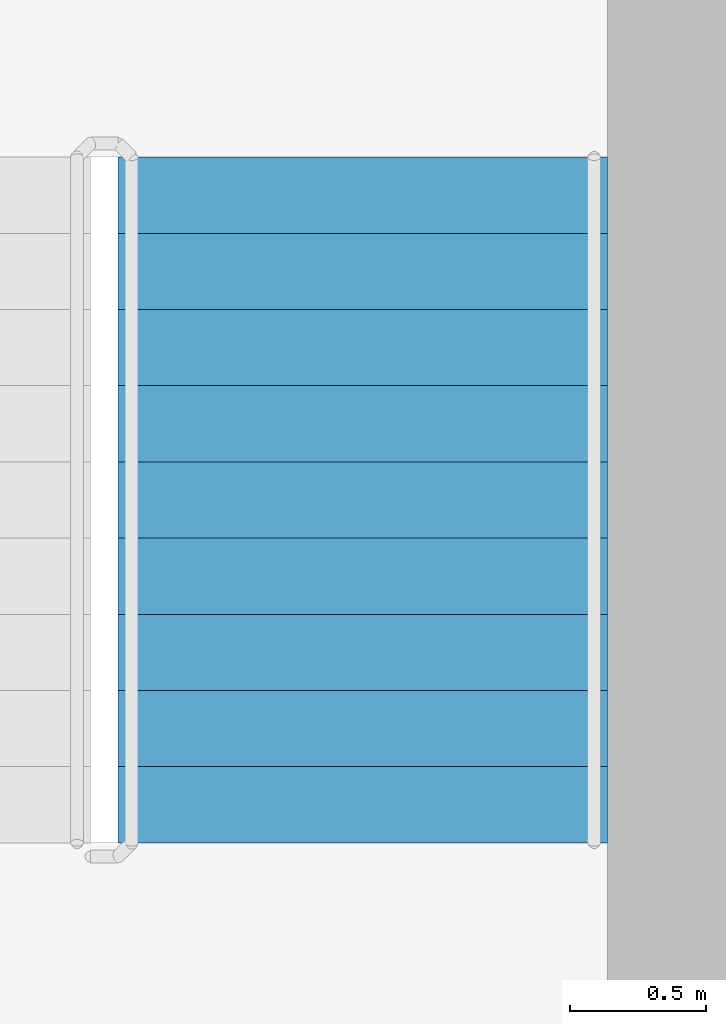
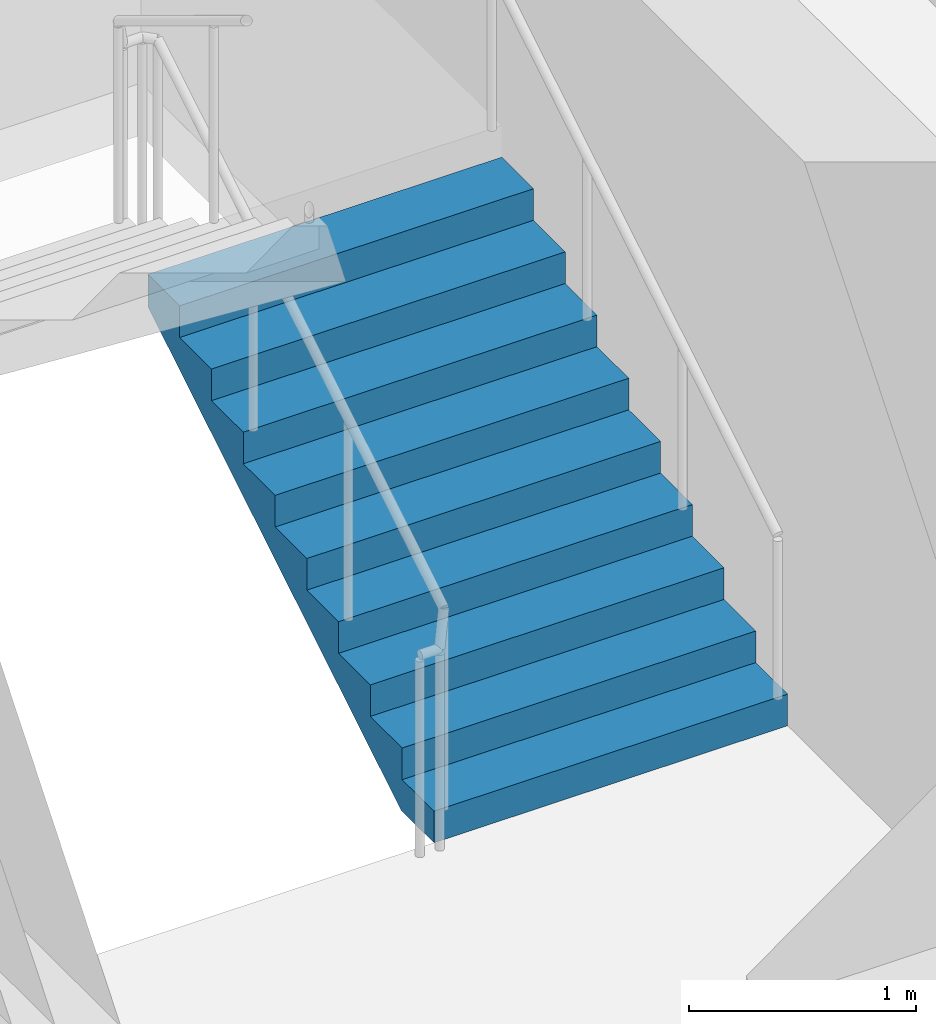
# One storey, part 11 of 18: 1 stair flight, 1 element without a shape of its own.
"""IFC4 building model written with IfcOpenShell, lengths in metres."""

from ifc_helpers import new_model, si_unit, direction, frame, origin, place, context, subcontext, project, spatial, triangles, source, transform, mapped, material, type_object, element, aggregate, save


model = new_model("IFC4")

# Units and contexts
model_context = context("Model", 3, precision=1e-05, world=origin(), true_north=direction((0.0, 1.0)))
body_context = subcontext(model_context, "Body", "Model", "MODEL_VIEW")
ifc_project = project(units=[si_unit("LENGTHUNIT", "METRE"), si_unit("AREAUNIT", "SQUARE_METRE"), si_unit("VOLUMEUNIT", "CUBIC_METRE"), si_unit("PLANEANGLEUNIT", "RADIAN"), si_unit("MASSUNIT", "GRAM", prefix="KILO")], contexts=[model_context])

# Site, building, storey
site_placement = place(None, origin())
site = spatial("IfcSite", under=ifc_project, at=site_placement, CompositionType="ELEMENT")
building_placement = place(site_placement, origin())
building = spatial("IfcBuilding", under=site, at=building_placement, Name="Kilnfold Tower and Market Hall", CompositionType="ELEMENT")
storey_placement = place(building_placement, frame((0.0, 0.0, 277.199951171875)))
storey = spatial("IfcBuildingStorey", under=building, at=storey_placement, Name="L68", CompositionType="ELEMENT", Elevation=277.199951171875)

# Stair, stair flight
ifc_material_1 = material(Name="Concrete C40/50", Category="concrete")
stair_type = type_object("IfcStairType", Name="CORE STAIR 1800", PredefinedType="HALF_TURN_STAIR", material=ifc_material_1)
stair_placement = place(storey_placement, origin())
stair = element("IfcStair", 1, at=stair_placement, inside=storey, type_object=stair_type, Name="L68 ST2", PredefinedType="HALF_TURN_STAIR")
ifc_material_2 = material(Name="Concrete C40/50", Category="concrete")
stair_flight_type = type_object("IfcStairFlightType", Name="CORE STAIR FLIGHT 1800", PredefinedType="STRAIGHT", material=ifc_material_2)
shared_shape = source(origin(), body_context, "Body", "Tessellation", [
    triangles([(0.0, 0.89990234375, 0.0), (0.0, 0.78759765625, 0.0), (0.0, 0.675048828125, 0.0), (0.0, 0.5625, 0.0), (0.0, 0.449951171875, 0.0), (0.0, 0.33740234375, 0.0), (0.0, 0.22509765625, 0.0), (0.0, 0.112548828125, 0.0), (0.0, 0.0, 0.0), (0.0, -0.112548828125, 0.0), (0.0, -0.22509765625, 0.0), (0.0, -0.33740234375, 0.0), (0.0, -0.449951171875, 0.0), (0.0, -0.5625, 0.0), (0.0, -0.675048828125, 0.0), (0.0, -0.78759765625, 0.0), (0.0, -0.89990234375, 0.0), (0.0, 0.89990234375, 0.169921875), (0.0, 0.78759765625, 0.169921875), (0.0, 0.675048828125, 0.169921875), (0.0, 0.5625, 0.169921875), (0.0, 0.449951171875, 0.169921875), (0.0, 0.33740234375, 0.169921875), (0.0, 0.22509765625, 0.169921875), (0.0, 0.112548828125, 0.169921875), (0.0, 0.0, 0.169921875), (0.0, -0.112548828125, 0.169921875), (0.0, -0.22509765625, 0.169921875), (0.0, -0.33740234375, 0.169921875), (0.0, -0.449951171875, 0.169921875), (0.0, -0.5625, 0.169921875), (0.0, -0.675048828125, 0.169921875), (0.0, -0.78759765625, 0.169921875), (0.0, -0.89990234375, 0.169921875), (0.280029296875, 0.89990234375, 0.169921875), (0.280029296875, 0.78759765625, 0.169921875), (0.280029296875, 0.675048828125, 0.169921875), (0.280029296875, 0.5625, 0.169921875), (0.280029296875, 0.449951171875, 0.169921875), (0.280029296875, 0.33740234375, 0.169921875), (0.280029296875, 0.22509765625, 0.169921875), (0.280029296875, 0.112548828125, 0.169921875), (0.280029296875, 0.0, 0.169921875), (0.280029296875, -0.112548828125, 0.169921875), (0.280029296875, -0.22509765625, 0.169921875), (0.280029296875, -0.33740234375, 0.169921875), (0.280029296875, -0.449951171875, 0.169921875), (0.280029296875, -0.5625, 0.169921875), (0.280029296875, -0.675048828125, 0.169921875), (0.280029296875, -0.78759765625, 0.169921875), (0.280029296875, -0.89990234375, 0.169921875), (0.280029296875, 0.89990234375, 0.340087890625), (0.280029296875, 0.78759765625, 0.340087890625), (0.280029296875, 0.675048828125, 0.340087890625), (0.280029296875, 0.5625, 0.340087890625), (0.280029296875, 0.449951171875, 0.340087890625), (0.280029296875, 0.33740234375, 0.340087890625), (0.280029296875, 0.22509765625, 0.340087890625), (0.280029296875, 0.112548828125, 0.340087890625), (0.280029296875, 0.0, 0.340087890625), (0.280029296875, -0.112548828125, 0.340087890625), (0.280029296875, -0.22509765625, 0.340087890625), (0.280029296875, -0.33740234375, 0.340087890625), (0.280029296875, -0.449951171875, 0.340087890625), (0.280029296875, -0.5625, 0.340087890625), (0.280029296875, -0.675048828125, 0.340087890625), (0.280029296875, -0.78759765625, 0.340087890625), (0.280029296875, -0.89990234375, 0.340087890625), (0.56005859375, 0.89990234375, 0.340087890625), (0.56005859375, 0.78759765625, 0.340087890625), (0.56005859375, 0.675048828125, 0.340087890625), (0.56005859375, 0.5625, 0.340087890625), (0.56005859375, 0.449951171875, 0.340087890625), (0.56005859375, 0.33740234375, 0.340087890625), (0.56005859375, 0.22509765625, 0.340087890625), (0.56005859375, 0.112548828125, 0.340087890625), (0.56005859375, 0.0, 0.340087890625), (0.56005859375, -0.112548828125, 0.340087890625), (0.56005859375, -0.22509765625, 0.340087890625), (0.56005859375, -0.33740234375, 0.340087890625), (0.56005859375, -0.449951171875, 0.340087890625), (0.56005859375, -0.5625, 0.340087890625), (0.56005859375, -0.675048828125, 0.340087890625), (0.56005859375, -0.78759765625, 0.340087890625), (0.56005859375, -0.89990234375, 0.340087890625), (0.56005859375, 0.89990234375, 0.510009765625), (0.56005859375, 0.78759765625, 0.510009765625), (0.56005859375, 0.675048828125, 0.510009765625), (0.56005859375, 0.5625, 0.510009765625), (0.56005859375, 0.449951171875, 0.510009765625), (0.56005859375, 0.33740234375, 0.510009765625), (0.56005859375, 0.22509765625, 0.510009765625), (0.56005859375, 0.112548828125, 0.510009765625), (0.56005859375, 0.0, 0.510009765625), (0.56005859375, -0.112548828125, 0.510009765625), (0.56005859375, -0.22509765625, 0.510009765625), (0.56005859375, -0.33740234375, 0.510009765625), (0.56005859375, -0.449951171875, 0.510009765625), (0.56005859375, -0.5625, 0.510009765625), (0.56005859375, -0.675048828125, 0.510009765625), (0.56005859375, -0.78759765625, 0.510009765625), (0.56005859375, -0.89990234375, 0.510009765625), (0.840087890625, 0.89990234375, 0.510009765625), (0.840087890625, 0.78759765625, 0.510009765625), (0.840087890625, 0.675048828125, 0.510009765625), (0.840087890625, 0.5625, 0.510009765625), (0.840087890625, 0.449951171875, 0.510009765625), (0.840087890625, 0.33740234375, 0.510009765625), (0.840087890625, 0.22509765625, 0.510009765625), (0.840087890625, 0.112548828125, 0.510009765625), (0.840087890625, 0.0, 0.510009765625), (0.840087890625, -0.112548828125, 0.510009765625), (0.840087890625, -0.22509765625, 0.510009765625), (0.840087890625, -0.33740234375, 0.510009765625), (0.840087890625, -0.449951171875, 0.510009765625), (0.840087890625, -0.5625, 0.510009765625), (0.840087890625, -0.675048828125, 0.510009765625), (0.840087890625, -0.78759765625, 0.510009765625), (0.840087890625, -0.89990234375, 0.510009765625), (0.840087890625, 0.89990234375, 0.679931640625), (0.840087890625, 0.78759765625, 0.679931640625), (0.840087890625, 0.675048828125, 0.679931640625), (0.840087890625, 0.5625, 0.679931640625), (0.840087890625, 0.449951171875, 0.679931640625), (0.840087890625, 0.33740234375, 0.679931640625), (0.840087890625, 0.22509765625, 0.679931640625), (0.840087890625, 0.112548828125, 0.679931640625), (0.840087890625, 0.0, 0.679931640625), (0.840087890625, -0.112548828125, 0.679931640625), (0.840087890625, -0.22509765625, 0.679931640625), (0.840087890625, -0.33740234375, 0.679931640625), (0.840087890625, -0.449951171875, 0.679931640625), (0.840087890625, -0.5625, 0.679931640625), (0.840087890625, -0.675048828125, 0.679931640625), (0.840087890625, -0.78759765625, 0.679931640625), (0.840087890625, -0.89990234375, 0.679931640625), (1.1201171875, 0.89990234375, 0.679931640625), (1.1201171875, 0.78759765625, 0.679931640625), (1.1201171875, 0.675048828125, 0.679931640625), (1.1201171875, 0.5625, 0.679931640625), (1.1201171875, 0.449951171875, 0.679931640625), (1.1201171875, 0.33740234375, 0.679931640625), (1.1201171875, 0.22509765625, 0.679931640625), (1.1201171875, 0.112548828125, 0.679931640625), (1.1201171875, 0.0, 0.679931640625), (1.1201171875, -0.112548828125, 0.679931640625), (1.1201171875, -0.22509765625, 0.679931640625), (1.1201171875, -0.33740234375, 0.679931640625), (1.1201171875, -0.449951171875, 0.679931640625), (1.1201171875, -0.5625, 0.679931640625), (1.1201171875, -0.675048828125, 0.679931640625), (1.1201171875, -0.78759765625, 0.679931640625), (1.1201171875, -0.89990234375, 0.679931640625), (1.1201171875, 0.89990234375, 0.85009765625), (1.1201171875, 0.78759765625, 0.85009765625), (1.1201171875, 0.675048828125, 0.85009765625), (1.1201171875, 0.5625, 0.85009765625), (1.1201171875, 0.449951171875, 0.85009765625), (1.1201171875, 0.33740234375, 0.85009765625), (1.1201171875, 0.22509765625, 0.85009765625), (1.1201171875, 0.112548828125, 0.85009765625), (1.1201171875, 0.0, 0.85009765625), (1.1201171875, -0.112548828125, 0.85009765625), (1.1201171875, -0.22509765625, 0.85009765625), (1.1201171875, -0.33740234375, 0.85009765625), (1.1201171875, -0.449951171875, 0.85009765625), (1.1201171875, -0.5625, 0.85009765625), (1.1201171875, -0.675048828125, 0.85009765625), (1.1201171875, -0.78759765625, 0.85009765625), (1.1201171875, -0.89990234375, 0.85009765625), (1.39990234375, 0.89990234375, 0.85009765625), (1.39990234375, 0.78759765625, 0.85009765625), (1.39990234375, 0.675048828125, 0.85009765625), (1.39990234375, 0.5625, 0.85009765625), (1.39990234375, 0.449951171875, 0.85009765625), (1.39990234375, 0.33740234375, 0.85009765625), (1.39990234375, 0.22509765625, 0.85009765625), (1.39990234375, 0.112548828125, 0.85009765625), (1.39990234375, 0.0, 0.85009765625), (1.39990234375, -0.112548828125, 0.85009765625), (1.39990234375, -0.22509765625, 0.85009765625), (1.39990234375, -0.33740234375, 0.85009765625), (1.39990234375, -0.449951171875, 0.85009765625), (1.39990234375, -0.5625, 0.85009765625), (1.39990234375, -0.675048828125, 0.85009765625), (1.39990234375, -0.78759765625, 0.85009765625), (1.39990234375, -0.89990234375, 0.85009765625), (1.39990234375, 0.89990234375, 1.02001953125), (1.39990234375, 0.78759765625, 1.02001953125), (1.39990234375, 0.675048828125, 1.02001953125), (1.39990234375, 0.5625, 1.02001953125), (1.39990234375, 0.449951171875, 1.02001953125), (1.39990234375, 0.33740234375, 1.02001953125), (1.39990234375, 0.22509765625, 1.02001953125), (1.39990234375, 0.112548828125, 1.02001953125), (1.39990234375, 0.0, 1.02001953125), (1.39990234375, -0.112548828125, 1.02001953125), (1.39990234375, -0.22509765625, 1.02001953125), (1.39990234375, -0.33740234375, 1.02001953125), (1.39990234375, -0.449951171875, 1.02001953125), (1.39990234375, -0.5625, 1.02001953125), (1.39990234375, -0.675048828125, 1.02001953125), (1.39990234375, -0.78759765625, 1.02001953125), (1.39990234375, -0.89990234375, 1.02001953125), (1.679931640625, 0.89990234375, 1.02001953125), (1.679931640625, 0.78759765625, 1.02001953125), (1.679931640625, 0.675048828125, 1.02001953125), (1.679931640625, 0.5625, 1.02001953125), (1.679931640625, 0.449951171875, 1.02001953125), (1.679931640625, 0.33740234375, 1.02001953125), (1.679931640625, 0.22509765625, 1.02001953125), (1.679931640625, 0.112548828125, 1.02001953125), (1.679931640625, 0.0, 1.02001953125), (1.679931640625, -0.112548828125, 1.02001953125), (1.679931640625, -0.22509765625, 1.02001953125), (1.679931640625, -0.33740234375, 1.02001953125), (1.679931640625, -0.449951171875, 1.02001953125), (1.679931640625, -0.5625, 1.02001953125), (1.679931640625, -0.675048828125, 1.02001953125), (1.679931640625, -0.78759765625, 1.02001953125), (1.679931640625, -0.89990234375, 1.02001953125), (1.679931640625, 0.89990234375, 1.18994140625), (1.679931640625, 0.78759765625, 1.18994140625), (1.679931640625, 0.675048828125, 1.18994140625), (1.679931640625, 0.5625, 1.18994140625), (1.679931640625, 0.449951171875, 1.18994140625), (1.679931640625, 0.33740234375, 1.18994140625), (1.679931640625, 0.22509765625, 1.18994140625), (1.679931640625, 0.112548828125, 1.18994140625), (1.679931640625, 0.0, 1.18994140625), (1.679931640625, -0.112548828125, 1.18994140625), (1.679931640625, -0.22509765625, 1.18994140625), (1.679931640625, -0.33740234375, 1.18994140625), (1.679931640625, -0.449951171875, 1.18994140625), (1.679931640625, -0.5625, 1.18994140625), (1.679931640625, -0.675048828125, 1.18994140625), (1.679931640625, -0.78759765625, 1.18994140625), (1.679931640625, -0.89990234375, 1.18994140625), (1.9599609375, 0.89990234375, 1.18994140625), (1.9599609375, 0.78759765625, 1.18994140625), (1.9599609375, 0.675048828125, 1.18994140625), (1.9599609375, 0.5625, 1.18994140625), (1.9599609375, 0.449951171875, 1.18994140625), (1.9599609375, 0.33740234375, 1.18994140625), (1.9599609375, 0.22509765625, 1.18994140625), (1.9599609375, 0.112548828125, 1.18994140625), (1.9599609375, 0.0, 1.18994140625), (1.9599609375, -0.112548828125, 1.18994140625), (1.9599609375, -0.22509765625, 1.18994140625), (1.9599609375, -0.33740234375, 1.18994140625), (1.9599609375, -0.449951171875, 1.18994140625), (1.9599609375, -0.5625, 1.18994140625), (1.9599609375, -0.675048828125, 1.18994140625), (1.9599609375, -0.78759765625, 1.18994140625), (1.9599609375, -0.89990234375, 1.18994140625), (1.9599609375, 0.89990234375, 1.360107421875), (1.9599609375, 0.78759765625, 1.360107421875), (1.9599609375, 0.675048828125, 1.360107421875), (1.9599609375, 0.5625, 1.360107421875), (1.9599609375, 0.449951171875, 1.360107421875), (1.9599609375, 0.33740234375, 1.360107421875), (1.9599609375, 0.22509765625, 1.360107421875), (1.9599609375, 0.112548828125, 1.360107421875), (1.9599609375, 0.0, 1.360107421875), (1.9599609375, -0.112548828125, 1.360107421875), (1.9599609375, -0.22509765625, 1.360107421875), (1.9599609375, -0.33740234375, 1.360107421875), (1.9599609375, -0.449951171875, 1.360107421875), (1.9599609375, -0.5625, 1.360107421875), (1.9599609375, -0.675048828125, 1.360107421875), (1.9599609375, -0.78759765625, 1.360107421875), (1.9599609375, -0.89990234375, 1.360107421875), (2.239990234375, 0.89990234375, 1.360107421875), (2.239990234375, 0.78759765625, 1.360107421875), (2.239990234375, 0.675048828125, 1.360107421875), (2.239990234375, 0.5625, 1.360107421875), (2.239990234375, 0.449951171875, 1.360107421875), (2.239990234375, 0.33740234375, 1.360107421875), (2.239990234375, 0.22509765625, 1.360107421875), (2.239990234375, 0.112548828125, 1.360107421875), (2.239990234375, 0.0, 1.360107421875), (2.239990234375, -0.112548828125, 1.360107421875), (2.239990234375, -0.22509765625, 1.360107421875), (2.239990234375, -0.33740234375, 1.360107421875), (2.239990234375, -0.449951171875, 1.360107421875), (2.239990234375, -0.5625, 1.360107421875), (2.239990234375, -0.675048828125, 1.360107421875), (2.239990234375, -0.78759765625, 1.360107421875), (2.239990234375, -0.89990234375, 1.360107421875), (2.239990234375, 0.89990234375, 1.530029296875), (2.239990234375, 0.78759765625, 1.530029296875), (2.239990234375, 0.675048828125, 1.530029296875), (2.239990234375, 0.5625, 1.530029296875), (2.239990234375, 0.449951171875, 1.530029296875), (2.239990234375, 0.33740234375, 1.530029296875), (2.239990234375, 0.22509765625, 1.530029296875), (2.239990234375, 0.112548828125, 1.530029296875), (2.239990234375, 0.0, 1.530029296875), (2.239990234375, -0.112548828125, 1.530029296875), (2.239990234375, -0.22509765625, 1.530029296875), (2.239990234375, -0.33740234375, 1.530029296875), (2.239990234375, -0.449951171875, 1.530029296875), (2.239990234375, -0.5625, 1.530029296875), (2.239990234375, -0.675048828125, 1.530029296875), (2.239990234375, -0.78759765625, 1.530029296875), (2.239990234375, -0.89990234375, 1.530029296875), (2.52001953125, 0.89990234375, 1.530029296875), (2.52001953125, 0.78759765625, 1.530029296875), (2.52001953125, 0.675048828125, 1.530029296875), (2.52001953125, 0.5625, 1.530029296875), (2.52001953125, 0.449951171875, 1.530029296875), (2.52001953125, 0.33740234375, 1.530029296875), (2.52001953125, 0.22509765625, 1.530029296875), (2.52001953125, 0.112548828125, 1.530029296875), (2.52001953125, 0.0, 1.530029296875), (2.52001953125, -0.112548828125, 1.530029296875), (2.52001953125, -0.22509765625, 1.530029296875), (2.52001953125, -0.33740234375, 1.530029296875), (2.52001953125, -0.449951171875, 1.530029296875), (2.52001953125, -0.5625, 1.530029296875), (2.52001953125, -0.675048828125, 1.530029296875), (2.52001953125, -0.78759765625, 1.530029296875), (2.52001953125, -0.89990234375, 1.530029296875), (2.52001953125, 0.89990234375, 1.354736328125), (2.52001953125, 0.78759765625, 1.354736328125), (2.52001953125, 0.675048828125, 1.354736328125), (2.52001953125, 0.5625, 1.354736328125), (2.52001953125, 0.449951171875, 1.354736328125), (2.52001953125, 0.33740234375, 1.354736328125), (2.52001953125, 0.22509765625, 1.354736328125), (2.52001953125, 0.112548828125, 1.354736328125), (2.52001953125, 0.0, 1.354736328125), (2.52001953125, -0.112548828125, 1.354736328125), (2.52001953125, -0.22509765625, 1.354736328125), (2.52001953125, -0.33740234375, 1.354736328125), (2.52001953125, -0.449951171875, 1.354736328125), (2.52001953125, -0.5625, 1.354736328125), (2.52001953125, -0.675048828125, 1.354736328125), (2.52001953125, -0.78759765625, 1.354736328125), (2.52001953125, -0.89990234375, 1.354736328125), (0.288818359375, 0.89990234375, 0.0), (0.288818359375, 0.78759765625, 0.0), (0.288818359375, 0.675048828125, 0.0), (0.288818359375, 0.5625, 0.0), (0.288818359375, 0.449951171875, 0.0), (0.288818359375, 0.33740234375, 0.0), (0.288818359375, 0.22509765625, 0.0), (0.288818359375, 0.112548828125, 0.0), (0.288818359375, 0.0, 0.0), (0.288818359375, -0.112548828125, 0.0), (0.288818359375, -0.22509765625, 0.0), (0.288818359375, -0.33740234375, 0.0), (0.288818359375, -0.449951171875, 0.0), (0.288818359375, -0.5625, 0.0), (0.288818359375, -0.675048828125, 0.0), (0.288818359375, -0.78759765625, 0.0), (0.288818359375, -0.89990234375, 0.0)], [[1, 324, 341], [17, 357, 340], [324, 290, 307], [340, 323, 306], [324, 273, 290], [340, 306, 289], [324, 256, 273], [340, 289, 272], [324, 239, 256], [340, 272, 255], [239, 205, 222], [255, 238, 221], [324, 205, 239], [340, 255, 221], [205, 171, 188], [221, 204, 187], [324, 171, 205], [340, 221, 187], [171, 137, 154], [187, 170, 153], [324, 137, 171], [340, 187, 153], [137, 103, 120], [153, 136, 119], [324, 103, 137], [340, 153, 119], [103, 69, 86], [119, 102, 85], [324, 69, 103], [340, 119, 85], [69, 35, 52], [85, 68, 51], [324, 35, 69], [340, 85, 51], [1, 35, 324], [17, 340, 51], [35, 1, 18], [51, 34, 17], [1, 19, 18], [1, 2, 19], [2, 20, 19], [2, 3, 20], [3, 21, 20], [3, 4, 21], [4, 22, 21], [4, 5, 22], [5, 23, 22], [5, 6, 23], [6, 24, 23], [6, 7, 24], [7, 25, 24], [7, 8, 25], [8, 26, 25], [8, 9, 26], [9, 27, 26], [9, 10, 27], [10, 28, 27], [10, 11, 28], [11, 29, 28], [11, 12, 29], [12, 30, 29], [12, 13, 30], [13, 31, 30], [13, 14, 31], [14, 32, 31], [14, 15, 32], [15, 33, 32], [15, 16, 33], [16, 34, 33], [16, 17, 34], [18, 36, 35], [18, 19, 36], [19, 37, 36], [19, 20, 37], [20, 38, 37], [20, 21, 38], [21, 39, 38], [21, 22, 39], [22, 40, 39], [22, 23, 40], [23, 41, 40], [23, 24, 41], [24, 42, 41], [24, 25, 42], [25, 43, 42], [25, 26, 43], [26, 44, 43], [26, 27, 44], [27, 45, 44], [27, 28, 45], [28, 46, 45], [28, 29, 46], [29, 47, 46], [29, 30, 47], [30, 48, 47], [30, 31, 48], [31, 49, 48], [31, 32, 49], [32, 50, 49], [32, 33, 50], [33, 51, 50], [33, 34, 51], [35, 53, 52], [35, 36, 53], [36, 54, 53], [36, 37, 54], [37, 55, 54], [37, 38, 55], [38, 56, 55], [38, 39, 56], [39, 57, 56], [39, 40, 57], [40, 58, 57], [40, 41, 58], [41, 59, 58], [41, 42, 59], [42, 60, 59], [42, 43, 60], [43, 61, 60], [43, 44, 61], [44, 62, 61], [44, 45, 62], [45, 63, 62], [45, 46, 63], [46, 64, 63], [46, 47, 64], [47, 65, 64], [47, 48, 65], [48, 66, 65], [48, 49, 66], [49, 67, 66], [49, 50, 67], [50, 68, 67], [50, 51, 68], [52, 70, 69], [52, 53, 70], [53, 71, 70], [53, 54, 71], [54, 72, 71], [54, 55, 72], [55, 73, 72], [55, 56, 73], [56, 74, 73], [56, 57, 74], [57, 75, 74], [57, 58, 75], [58, 76, 75], [58, 59, 76], [59, 77, 76], [59, 60, 77], [60, 78, 77], [60, 61, 78], [61, 79, 78], [61, 62, 79], [62, 80, 79], [62, 63, 80], [63, 81, 80], [63, 64, 81], [64, 82, 81], [64, 65, 82], [65, 83, 82], [65, 66, 83], [66, 84, 83], [66, 67, 84], [67, 85, 84], [67, 68, 85], [69, 87, 86], [69, 70, 87], [70, 88, 87], [70, 71, 88], [71, 89, 88], [71, 72, 89], [72, 90, 89], [72, 73, 90], [73, 91, 90], [73, 74, 91], [74, 92, 91], [74, 75, 92], [75, 93, 92], [75, 76, 93], [76, 94, 93], [76, 77, 94], [77, 95, 94], [77, 78, 95], [78, 96, 95], [78, 79, 96], [79, 97, 96], [79, 80, 97], [80, 98, 97], [80, 81, 98], [81, 99, 98], [81, 82, 99], [82, 100, 99], [82, 83, 100], [83, 101, 100], [83, 84, 101], [84, 102, 101], [84, 85, 102], [86, 104, 103], [86, 87, 104], [87, 105, 104], [87, 88, 105], [88, 106, 105], [88, 89, 106], [89, 107, 106], [89, 90, 107], [90, 108, 107], [90, 91, 108], [91, 109, 108], [91, 92, 109], [92, 110, 109], [92, 93, 110], [93, 111, 110], [93, 94, 111], [94, 112, 111], [94, 95, 112], [95, 113, 112], [95, 96, 113], [96, 114, 113], [96, 97, 114], [97, 115, 114], [97, 98, 115], [98, 116, 115], [98, 99, 116], [99, 117, 116], [99, 100, 117], [100, 118, 117], [100, 101, 118], [101, 119, 118], [101, 102, 119], [103, 121, 120], [103, 104, 121], [104, 122, 121], [104, 105, 122], [105, 123, 122], [105, 106, 123], [106, 124, 123], [106, 107, 124], [107, 125, 124], [107, 108, 125], [108, 126, 125], [108, 109, 126], [109, 127, 126], [109, 110, 127], [110, 128, 127], [110, 111, 128], [111, 129, 128], [111, 112, 129], [112, 130, 129], [112, 113, 130], [113, 131, 130], [113, 114, 131], [114, 132, 131], [114, 115, 132], [115, 133, 132], [115, 116, 133], [116, 134, 133], [116, 117, 134], [117, 135, 134], [117, 118, 135], [118, 136, 135], [118, 119, 136], [120, 138, 137], [120, 121, 138], [121, 139, 138], [121, 122, 139], [122, 140, 139], [122, 123, 140], [123, 141, 140], [123, 124, 141], [124, 142, 141], [124, 125, 142], [125, 143, 142], [125, 126, 143], [126, 144, 143], [126, 127, 144], [127, 145, 144], [127, 128, 145], [128, 146, 145], [128, 129, 146], [129, 147, 146], [129, 130, 147], [130, 148, 147], [130, 131, 148], [131, 149, 148], [131, 132, 149], [132, 150, 149], [132, 133, 150], [133, 151, 150], [133, 134, 151], [134, 152, 151], [134, 135, 152], [135, 153, 152], [135, 136, 153], [137, 155, 154], [137, 138, 155], [138, 156, 155], [138, 139, 156], [139, 157, 156], [139, 140, 157], [140, 158, 157], [140, 141, 158], [141, 159, 158], [141, 142, 159], [142, 160, 159], [142, 143, 160], [143, 161, 160], [143, 144, 161], [144, 162, 161], [144, 145, 162], [145, 163, 162], [145, 146, 163], [146, 164, 163], [146, 147, 164], [147, 165, 164], [147, 148, 165], [148, 166, 165], [148, 149, 166], [149, 167, 166], [149, 150, 167], [150, 168, 167], [150, 151, 168], [151, 169, 168], [151, 152, 169], [152, 170, 169], [152, 153, 170], [154, 172, 171], [154, 155, 172], [155, 173, 172], [155, 156, 173], [156, 174, 173], [156, 157, 174], [157, 175, 174], [157, 158, 175], [158, 176, 175], [158, 159, 176], [159, 177, 176], [159, 160, 177], [160, 178, 177], [160, 161, 178], [161, 179, 178], [161, 162, 179], [162, 180, 179], [162, 163, 180], [163, 181, 180], [163, 164, 181], [164, 182, 181], [164, 165, 182], [165, 183, 182], [165, 166, 183], [166, 184, 183], [166, 167, 184], [167, 185, 184], [167, 168, 185], [168, 186, 185], [168, 169, 186], [169, 187, 186], [169, 170, 187], [171, 189, 188], [171, 172, 189], [172, 190, 189], [172, 173, 190], [173, 191, 190], [173, 174, 191], [174, 192, 191], [174, 175, 192], [175, 193, 192], [175, 176, 193], [176, 194, 193], [176, 177, 194], [177, 195, 194], [177, 178, 195], [178, 196, 195], [178, 179, 196], [179, 197, 196], [179, 180, 197], [180, 198, 197], [180, 181, 198], [181, 199, 198], [181, 182, 199], [182, 200, 199], [182, 183, 200], [183, 201, 200], [183, 184, 201], [184, 202, 201], [184, 185, 202], [185, 203, 202], [185, 186, 203], [186, 204, 203], [186, 187, 204], [188, 206, 205], [188, 189, 206], [189, 207, 206], [189, 190, 207], [190, 208, 207], [190, 191, 208], [191, 209, 208], [191, 192, 209], [192, 210, 209], [192, 193, 210], [193, 211, 210], [193, 194, 211], [194, 212, 211], [194, 195, 212], [195, 213, 212], [195, 196, 213], [196, 214, 213], [196, 197, 214], [197, 215, 214], [197, 198, 215], [198, 216, 215], [198, 199, 216], [199, 217, 216], [199, 200, 217], [200, 218, 217], [200, 201, 218], [201, 219, 218], [201, 202, 219], [202, 220, 219], [202, 203, 220], [203, 221, 220], [203, 204, 221], [205, 223, 222], [205, 206, 223], [206, 224, 223], [206, 207, 224], [207, 225, 224], [207, 208, 225], [208, 226, 225], [208, 209, 226], [209, 227, 226], [209, 210, 227], [210, 228, 227], [210, 211, 228], [211, 229, 228], [211, 212, 229], [212, 230, 229], [212, 213, 230], [213, 231, 230], [213, 214, 231], [214, 232, 231], [214, 215, 232], [215, 233, 232], [215, 216, 233], [216, 234, 233], [216, 217, 234], [217, 235, 234], [217, 218, 235], [218, 236, 235], [218, 219, 236], [219, 237, 236], [219, 220, 237], [220, 238, 237], [220, 221, 238], [222, 240, 239], [222, 223, 240], [223, 241, 240], [223, 224, 241], [224, 242, 241], [224, 225, 242], [225, 243, 242], [225, 226, 243], [226, 244, 243], [226, 227, 244], [227, 245, 244], [227, 228, 245], [228, 246, 245], [228, 229, 246], [229, 247, 246], [229, 230, 247], [230, 248, 247], [230, 231, 248], [231, 249, 248], [231, 232, 249], [232, 250, 249], [232, 233, 250], [233, 251, 250], [233, 234, 251], [234, 252, 251], [234, 235, 252], [235, 253, 252], [235, 236, 253], [236, 254, 253], [236, 237, 254], [237, 255, 254], [237, 238, 255], [239, 257, 256], [239, 240, 257], [240, 258, 257], [240, 241, 258], [241, 259, 258], [241, 242, 259], [242, 260, 259], [242, 243, 260], [243, 261, 260], [243, 244, 261], [244, 262, 261], [244, 245, 262], [245, 263, 262], [245, 246, 263], [246, 264, 263], [246, 247, 264], [247, 265, 264], [247, 248, 265], [248, 266, 265], [248, 249, 266], [249, 267, 266], [249, 250, 267], [250, 268, 267], [250, 251, 268], [251, 269, 268], [251, 252, 269], [252, 270, 269], [252, 253, 270], [253, 271, 270], [253, 254, 271], [254, 272, 271], [254, 255, 272], [256, 274, 273], [256, 257, 274], [257, 275, 274], [257, 258, 275], [258, 276, 275], [258, 259, 276], [259, 277, 276], [259, 260, 277], [260, 278, 277], [260, 261, 278], [261, 279, 278], [261, 262, 279], [262, 280, 279], [262, 263, 280], [263, 281, 280], [263, 264, 281], [264, 282, 281], [264, 265, 282], [265, 283, 282], [265, 266, 283], [266, 284, 283], [266, 267, 284], [267, 285, 284], [267, 268, 285], [268, 286, 285], [268, 269, 286], [269, 287, 286], [269, 270, 287], [270, 288, 287], [270, 271, 288], [271, 289, 288], [271, 272, 289], [273, 291, 290], [273, 274, 291], [274, 292, 291], [274, 275, 292], [275, 293, 292], [275, 276, 293], [276, 294, 293], [276, 277, 294], [277, 295, 294], [277, 278, 295], [278, 296, 295], [278, 279, 296], [279, 297, 296], [279, 280, 297], [280, 298, 297], [280, 281, 298], [281, 299, 298], [281, 282, 299], [282, 300, 299], [282, 283, 300], [283, 301, 300], [283, 284, 301], [284, 302, 301], [284, 285, 302], [285, 303, 302], [285, 286, 303], [286, 304, 303], [286, 287, 304], [287, 305, 304], [287, 288, 305], [288, 306, 305], [288, 289, 306], [290, 308, 307], [290, 291, 308], [291, 309, 308], [291, 292, 309], [292, 310, 309], [292, 293, 310], [293, 311, 310], [293, 294, 311], [294, 312, 311], [294, 295, 312], [295, 313, 312], [295, 296, 313], [296, 314, 313], [296, 297, 314], [297, 315, 314], [297, 298, 315], [298, 316, 315], [298, 299, 316], [299, 317, 316], [299, 300, 317], [300, 318, 317], [300, 301, 318], [301, 319, 318], [301, 302, 319], [302, 320, 319], [302, 303, 320], [303, 321, 320], [303, 304, 321], [304, 322, 321], [304, 305, 322], [305, 323, 322], [305, 306, 323], [307, 325, 324], [307, 308, 325], [308, 326, 325], [308, 309, 326], [309, 327, 326], [309, 310, 327], [310, 328, 327], [310, 311, 328], [311, 329, 328], [311, 312, 329], [312, 330, 329], [312, 313, 330], [313, 331, 330], [313, 314, 331], [314, 332, 331], [314, 315, 332], [315, 333, 332], [315, 316, 333], [316, 334, 333], [316, 317, 334], [317, 335, 334], [317, 318, 335], [318, 336, 335], [318, 319, 336], [319, 337, 336], [319, 320, 337], [320, 338, 337], [320, 321, 338], [321, 339, 338], [321, 322, 339], [322, 340, 339], [322, 323, 340], [324, 342, 341], [324, 325, 342], [325, 343, 342], [325, 326, 343], [326, 344, 343], [326, 327, 344], [327, 345, 344], [327, 328, 345], [328, 346, 345], [328, 329, 346], [329, 347, 346], [329, 330, 347], [330, 348, 347], [330, 331, 348], [331, 349, 348], [331, 332, 349], [332, 350, 349], [332, 333, 350], [333, 351, 350], [333, 334, 351], [334, 352, 351], [334, 335, 352], [335, 353, 352], [335, 336, 353], [336, 354, 353], [336, 337, 354], [337, 355, 354], [337, 338, 355], [338, 356, 355], [338, 339, 356], [339, 357, 356], [339, 340, 357], [341, 2, 1], [341, 342, 2], [342, 3, 2], [342, 343, 3], [343, 4, 3], [343, 344, 4], [344, 5, 4], [344, 345, 5], [345, 6, 5], [345, 346, 6], [346, 7, 6], [346, 347, 7], [347, 8, 7], [347, 348, 8], [348, 9, 8], [348, 349, 9], [349, 10, 9], [349, 350, 10], [350, 11, 10], [350, 351, 11], [351, 12, 11], [351, 352, 12], [352, 13, 12], [352, 353, 13], [353, 14, 13], [353, 354, 14], [354, 15, 14], [354, 355, 15], [355, 16, 15], [355, 356, 16], [356, 17, 16], [356, 357, 17]], closed=True),
])
stair_flight_placement = place(storey_placement, frame((16.199951171875, 10.800048828125, 0.0), z_axis=(0.0, 0.0, 1.0), x_axis=(0.0, 1.0, 0.0)))
stair_flight = element("IfcStairFlight", 2, at=stair_flight_placement, type_object=stair_flight_type, Name="ST2 flight 1", NumberOfRisers=10, NumberOfTreads=9, PredefinedType="STRAIGHT", RiserHeight=0.17, TreadLength=0.28, context=body_context, shape_type="MappedRepresentation", body=[
    mapped(shared_shape, transform((0.0, 0.0, 0.0))),
])
aggregate(stair, [stair_flight])

save(model, "model.ifc")
